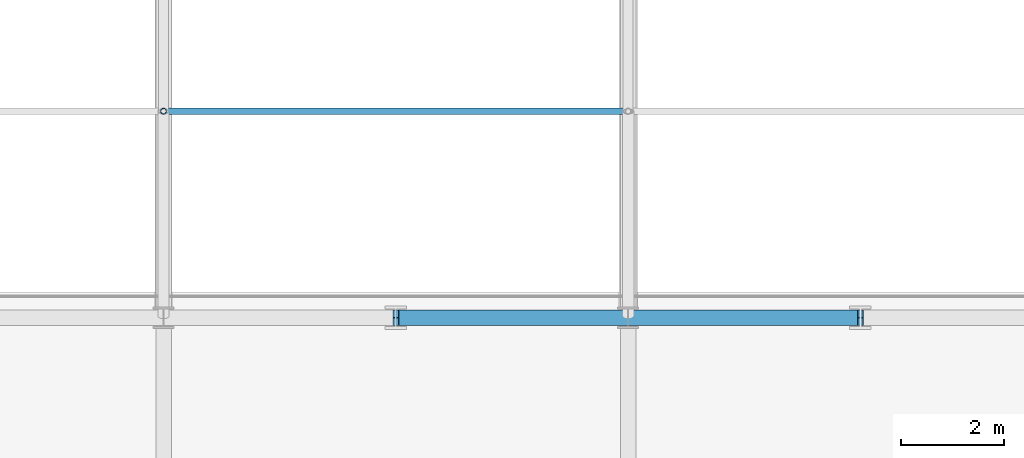
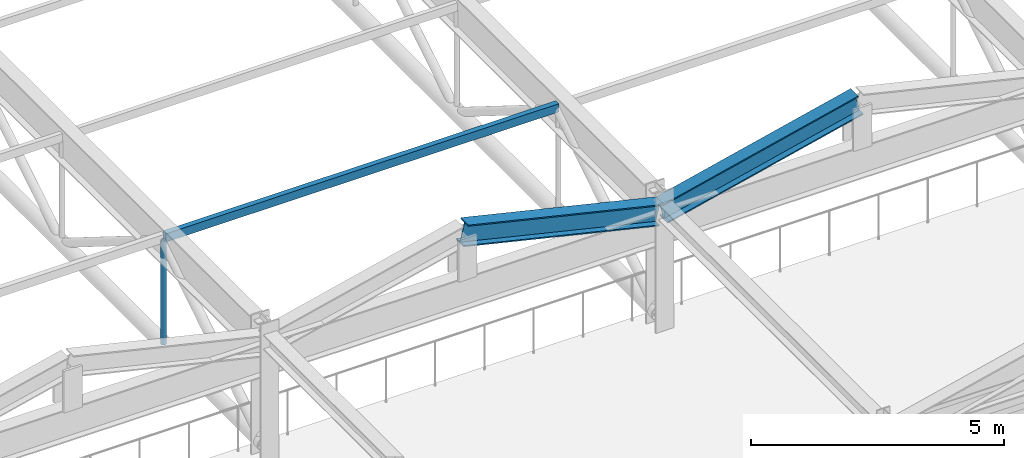
# One storey, part 25 of 91: 2 beams, 2 members.
"""IFC4 building model written with IfcOpenShell, lengths in metres."""

import ifcopenshell
import ifcopenshell.guid

model = None  # the IFC model being written
_history = None  # IfcOwnerHistory: only IFC2X3 demands one
_inside = {}  # id of a spatial element -> (the spatial element, [elements in it])
_under = {}  # id of a project, library or spatial element -> (it, [spatial elements below it])
_declared = {}  # id of a project -> (the project, [libraries it declares])
_typed = {}  # id of a type object -> (the type object, [elements of that type])
_made_of = {}  # id of a material, layer set ... -> (it, [elements and type objects made of it])


def new_model(schema):
    """Start an empty IFC model of exactly this schema.

    Asked for "IFC4X3", IfcOpenShell would pick the latest addendum, in which some entities
    have other attributes; the version numbers below select the first issue.
    IFC2X3 requires an IfcOwnerHistory on every rooted entity: one is made here for all.
    """
    global model, _history
    if schema == "IFC4X3":
        model = ifcopenshell.file(schema_version=(4, 3, 0, 0))
    else:
        model = ifcopenshell.file(schema=schema)
    _inside.clear()
    _under.clear()
    _declared.clear()
    _typed.clear()
    _made_of.clear()
    _history = None
    if model.schema == "IFC2X3":
        org = make("IfcOrganization", Name="unknown")
        user = make(
            "IfcPersonAndOrganization",
            ThePerson=make("IfcPerson", FamilyName="unknown"),
            TheOrganization=org,
        )
        app = make(
            "IfcApplication",
            ApplicationDeveloper=org,
            Version="unknown",
            ApplicationFullName="unknown",
            ApplicationIdentifier="unknown",
        )
        _history = make(
            "IfcOwnerHistory",
            OwningUser=user,
            OwningApplication=app,
            ChangeAction="ADDED",
            CreationDate=0,
        )
    return model


def make(cls, **values):
    """One entity of the class cls with the attributes given. An attribute that is None is left unset."""
    return model.create_entity(
        cls, **{name: value for name, value in values.items() if value is not None}
    )


def rooted(cls, **values):
    """An entity with a GlobalId (a new one), such as an element, a storey or a relation."""
    return make(cls, GlobalId=ifcopenshell.guid.new(), OwnerHistory=_history, **values)


def si_unit(unit_type, name, prefix=None):
    """IfcSIUnit, for example si_unit("LENGTHUNIT", "METRE", prefix="MILLI")."""
    return make("IfcSIUnit", UnitType=unit_type, Prefix=prefix, Name=name)


def assignment(units):
    """IfcUnitAssignment: the units of a project."""
    return None if units is None else make("IfcUnitAssignment", Units=units)


def point(xyz):
    """IfcCartesianPoint."""
    return None if xyz is None else make("IfcCartesianPoint", Coordinates=xyz)


def direction(xyz):
    """IfcDirection."""
    return None if xyz is None else make("IfcDirection", DirectionRatios=xyz)


def frame(location, z_axis=None, x_axis=None):
    """IfcAxis2Placement3D, a coordinate frame: its origin and axes. An axis left out is left unset."""
    return make(
        "IfcAxis2Placement3D",
        Location=point(location),
        Axis=direction(z_axis),
        RefDirection=direction(x_axis),
    )


def frame_2d(location, x_axis=None):
    """IfcAxis2Placement2D, a coordinate frame in the plane: its origin and x axis."""
    return make(
        "IfcAxis2Placement2D", Location=point(location), RefDirection=direction(x_axis)
    )


def origin():
    """The frame at (0, 0, 0) with its axes left unset."""
    return frame((0.0, 0.0, 0.0))


def origin_2d():
    """The frame at (0, 0) in the plane with its x axis left unset."""
    return frame_2d((0.0, 0.0))


def place(relative_to, where):
    """IfcLocalPlacement: puts the frame where relative to a parent placement (None: the world)."""
    return make(
        "IfcLocalPlacement", PlacementRelTo=relative_to, RelativePlacement=where
    )


def context(
    kind, dimensions, precision=None, world=None, true_north=None, identifier=None
):
    """IfcGeometricRepresentationContext, for example the 3D "Model" context."""
    return make(
        "IfcGeometricRepresentationContext",
        ContextIdentifier=identifier,
        ContextType=kind,
        CoordinateSpaceDimension=dimensions,
        Precision=precision,
        WorldCoordinateSystem=world,
        TrueNorth=true_north,
    )


def subcontext(parent, identifier, kind, view, scale=None):
    """IfcGeometricRepresentationSubContext, for example "Body" below "Model"."""
    return make(
        "IfcGeometricRepresentationSubContext",
        ContextIdentifier=identifier,
        ContextType=kind,
        ParentContext=parent,
        TargetScale=scale,
        TargetView=view,
    )


def project(units=None, contexts=None):
    """IfcProject with its units and contexts."""
    return rooted(
        "IfcProject",
        Name="project",
        RepresentationContexts=contexts,
        UnitsInContext=assignment(units),
    )


def spatial(cls, under=None, at=None, **own):
    """A site, building, storey or space (cls), placed at a placement, below another one or the project."""
    s = rooted(cls, ObjectPlacement=at, **own)
    if under is not None:
        _under.setdefault(under.id(), (under, []))[1].append(s)
    return s


def profile(cls, at=None, kind="AREA", **sizes):
    """A parametric profile (cls). Its sizes go by their IFC names, for example OverallWidth=200.0."""
    return make(cls, ProfileType=kind, Position=at, **sizes)


def hollow_rectangle(**sizes):
    """IfcRectangleHollowProfileDef."""
    return profile("IfcRectangleHollowProfileDef", **sizes)


def hollow_circle(**sizes):
    """IfcCircleHollowProfileDef."""
    return profile("IfcCircleHollowProfileDef", **sizes)


def i_section(**sizes):
    """IfcIShapeProfileDef."""
    return profile("IfcIShapeProfileDef", **sizes)


def extrude(swept, where, along, depth):
    """IfcExtrudedAreaSolid: the profile swept, set in the frame where, extruded along a direction by depth."""
    return make(
        "IfcExtrudedAreaSolid",
        SweptArea=swept,
        Position=where,
        ExtrudedDirection=direction(along),
        Depth=depth,
    )


def shape(context_of_items, identifier, shape_type, items):
    """IfcShapeRepresentation: the items that make up one representation, for example the "Body"."""
    return make(
        "IfcShapeRepresentation",
        ContextOfItems=context_of_items,
        RepresentationIdentifier=identifier,
        RepresentationType=shape_type,
        Items=items,
    )


def material(Name=None, Category=None):
    """IfcMaterial."""
    return make("IfcMaterial", Name=Name, Category=Category)


def material_profile(
    of_material, cross_section, Name=None, Category=None, Priority=None
):
    """IfcMaterialProfile: a cross section and its material."""
    return make(
        "IfcMaterialProfile",
        Name=Name,
        Material=of_material,
        Profile=cross_section,
        Priority=Priority,
        Category=Category,
    )


def profile_set(profiles, Name=None, composite=None):
    """IfcMaterialProfileSet."""
    return make(
        "IfcMaterialProfileSet",
        Name=Name,
        MaterialProfiles=profiles,
        CompositeProfile=composite,
    )


def made_of(thing, what):
    """Note that an element or type object is made of a material, layer set ...; save() writes the relation."""
    if what is not None:
        _made_of.setdefault(what.id(), (what, []))[1].append(thing)
    return thing


def type_object(cls, material=None, **own):
    """A type object (cls), such as IfcWallType, which elements share."""
    return made_of(rooted(cls, **own), material)


def element(
    cls,
    number,
    at=None,
    inside=None,
    cuts=None,
    type_object=None,
    material=None,
    context=None,
    identifier="Body",
    shape_type=None,
    held_by="IfcProductDefinitionShape",
    body=None,
    shapes=None,
    **own,
):
    """One element of the class cls, such as IfcWall. Its Tag is "e" and its number.

    at: its placement. inside: the storey or other place that contains it. cuts: it is an
    opening in that element (IfcRelVoidsElement). A single representation is given by context,
    identifier, shape_type and body (its items); several are given by shapes. held_by: the class
    of the entity that holds the representations. save() writes the other relations.
    """
    e = rooted(cls, Tag="e%d" % number, ObjectPlacement=at, **own)
    if body is not None:
        shapes = [shape(context, identifier, shape_type, body)]
    if shapes is not None:
        e.Representation = make(held_by, Representations=shapes)
    if inside is not None:
        _inside.setdefault(inside.id(), (inside, []))[1].append(e)
    if cuts is not None:
        rooted(
            "IfcRelVoidsElement", RelatingBuildingElement=cuts, RelatedOpeningElement=e
        )
    if type_object is not None:
        _typed.setdefault(type_object.id(), (type_object, []))[1].append(e)
    return made_of(e, material)


def aggregate(whole, parts):
    """IfcRelAggregates: a whole, such as a stair, and the parts it consists of."""
    return rooted("IfcRelAggregates", RelatingObject=whole, RelatedObjects=parts)


def save(model, path):
    """Write the relations noted so far, then the file.

    IfcRelAggregates (storeys below a building ...), IfcRelContainedInSpatialStructure (elements
    in a storey), IfcRelDefinesByType, IfcRelAssociatesMaterial and IfcRelDeclares: one each for
    every whole, place, type object, material and project.
    """
    for whole, parts in _under.values():
        aggregate(whole, parts)
    for where, things in _inside.values():
        rooted(
            "IfcRelContainedInSpatialStructure",
            RelatedElements=things,
            RelatingStructure=where,
        )
    for kind, things in _typed.values():
        rooted("IfcRelDefinesByType", RelatedObjects=things, RelatingType=kind)
    for what, things in _made_of.values():
        rooted("IfcRelAssociatesMaterial", RelatedObjects=things, RelatingMaterial=what)
    for by, libraries in _declared.values():
        rooted("IfcRelDeclares", RelatingContext=by, RelatedDefinitions=libraries)
    model.write(path)


model = new_model("IFC4")

# Units and contexts
model_context = context("Model", 3, precision=1e-05, world=origin(), true_north=direction((0.0, 1.0)))
body_context = subcontext(model_context, "Body", "Model", "MODEL_VIEW")
ifc_project = project(units=[si_unit("LENGTHUNIT", "METRE"), si_unit("AREAUNIT", "SQUARE_METRE"), si_unit("VOLUMEUNIT", "CUBIC_METRE"), si_unit("PLANEANGLEUNIT", "RADIAN"), si_unit("MASSUNIT", "GRAM", prefix="KILO")], contexts=[model_context])

# Site, building, storey
site_placement = place(None, origin())
site = spatial("IfcSite", under=ifc_project, at=site_placement, CompositionType="ELEMENT")
building_placement = place(site_placement, origin())
building = spatial("IfcBuilding", under=site, at=building_placement, Name="Palais des Congres Ocreval", CompositionType="ELEMENT")
storey_placement = place(building_placement, frame((0.0, 0.0, 8.159912109375)))
storey = spatial("IfcBuildingStorey", under=building, at=storey_placement, Name="L02", CompositionType="ELEMENT", Elevation=8.159912109375)

# Beams
ifc_material = material(Name="Steel S355", Category="steel")
ifc_material_profile_1 = material_profile(ifc_material, i_section(OverallWidth=0.300048828125, OverallDepth=0.5, WebThickness=0.014404296875, FlangeThickness=0.028076171875, at=origin_2d()), Name="HEB 500")
ifc_profile_set_1 = profile_set([ifc_material_profile_1], Name="Steel S355")
beam_type = type_object("IfcBeamType", Name="ROOF TRUSS Rafter HEB 500 Steel S355", PredefinedType="BEAM", material=ifc_profile_set_1)
for number, where, z_axis, x_axis, name in (
    (1, (22.5, 90.0, 3.820068359375), (0.972896426025, 0.0, -0.231241311682), (0.0, 1.0, 0.0), "ROOF TRUSS Folded Rafter RFB1"),
    (2, (27.0400390625, 90.0, 2.760009765625), (0.972896426025, 0.0, 0.231241311682), (0.0, 1.0, 0.0), "ROOF TRUSS Folded Rafter RFB1"),
):
    element("IfcBeam", number, at=place(storey_placement, frame(where, z_axis=z_axis, x_axis=x_axis)), inside=storey, type_object=beam_type, Name=name, PredefinedType="BEAM", context=body_context, shape_type="SweptSolid", body=[
        extrude(i_section(OverallWidth=0.300048828125, OverallDepth=0.5, WebThickness=0.014404296875, FlangeThickness=0.028076171875, at=origin_2d()), origin(), (0.0, 0.0, 1.0), 4.584228515625),
    ])

# Members
ifc_material_profile_2 = material_profile(ifc_material, hollow_rectangle(XDim=0.1201171875, YDim=0.199951171875, WallThickness=0.010009765625, at=origin_2d()), Name="RHS 200x120x10")
ifc_profile_set_2 = profile_set([ifc_material_profile_2], Name="Steel S355")
member_type_1 = type_object("IfcMemberType", Name="Roof Purlin RHS 200x120x10 Steel S355", PredefinedType="PURLIN", material=ifc_profile_set_2)
member_1_placement = place(storey_placement, frame((18.02001953125, 94.0, 2.860107421875), z_axis=(1.0, 0.0, 0.0), x_axis=(0.0, 1.0, 0.0)))
element("IfcMember", 3, at=member_1_placement, inside=storey, type_object=member_type_1, Name="Roof Purlin PU01 V1", PredefinedType="PURLIN", context=body_context, shape_type="SweptSolid", body=[
    extrude(hollow_rectangle(XDim=0.1201171875, YDim=0.199951171875, WallThickness=0.010009765625, at=origin_2d()), origin(), (0.0, 0.0, 1.0), 8.9599609375),
])
ifc_material_profile_3 = material_profile(ifc_material, hollow_circle(Radius=0.05712890625, WallThickness=0.00634765625, at=origin_2d()), Name="CHS 114.3x6.3")
ifc_profile_set_3 = profile_set([ifc_material_profile_3], Name="Steel S355")
member_type_2 = type_object("IfcMemberType", Name="Truss Strut CHS 114.3x6.3 Steel S355", PredefinedType="STRUT", material=ifc_profile_set_3)
member_2_placement = place(storey_placement, frame((18.0, 94.0, 0.2900390625), z_axis=(0.0, 0.0, 1.0), x_axis=(1.0, 0.0, 0.0)))
element("IfcMember", 4, at=member_2_placement, inside=storey, type_object=member_type_2, Name="ROOF TRUSS Vertical Strut V1-18-1", PredefinedType="STRUT", context=body_context, shape_type="SweptSolid", body=[
    extrude(hollow_circle(Radius=0.05712890625, WallThickness=0.00634765625, at=origin_2d()), origin(), (0.0, 0.0, 1.0), 2.5),
])

save(model, "model.ifc")
